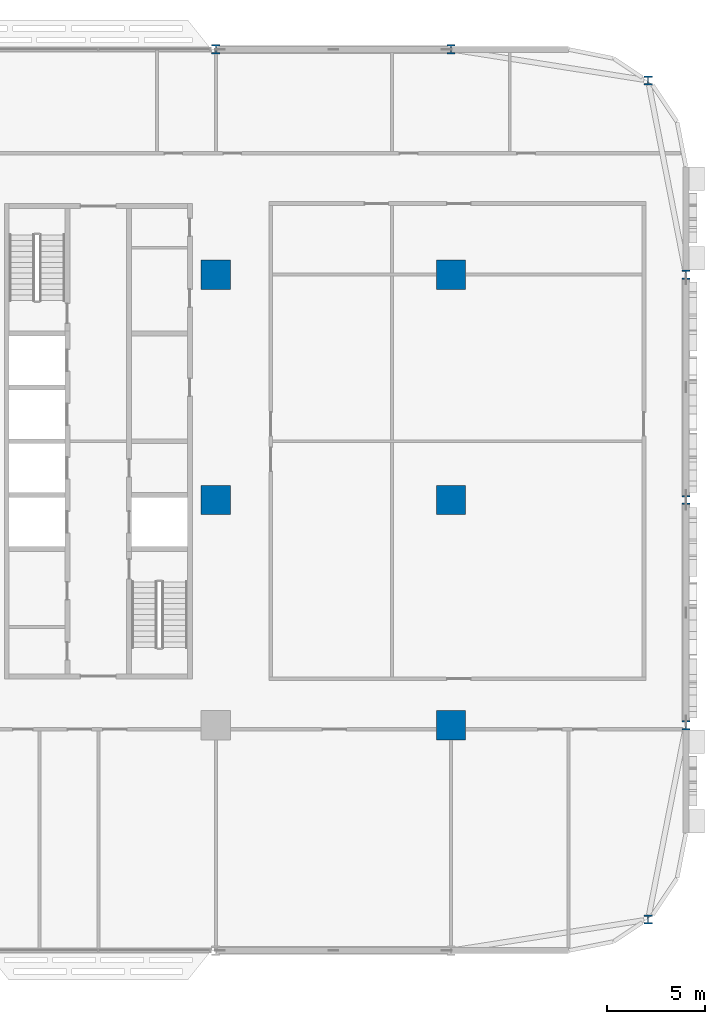
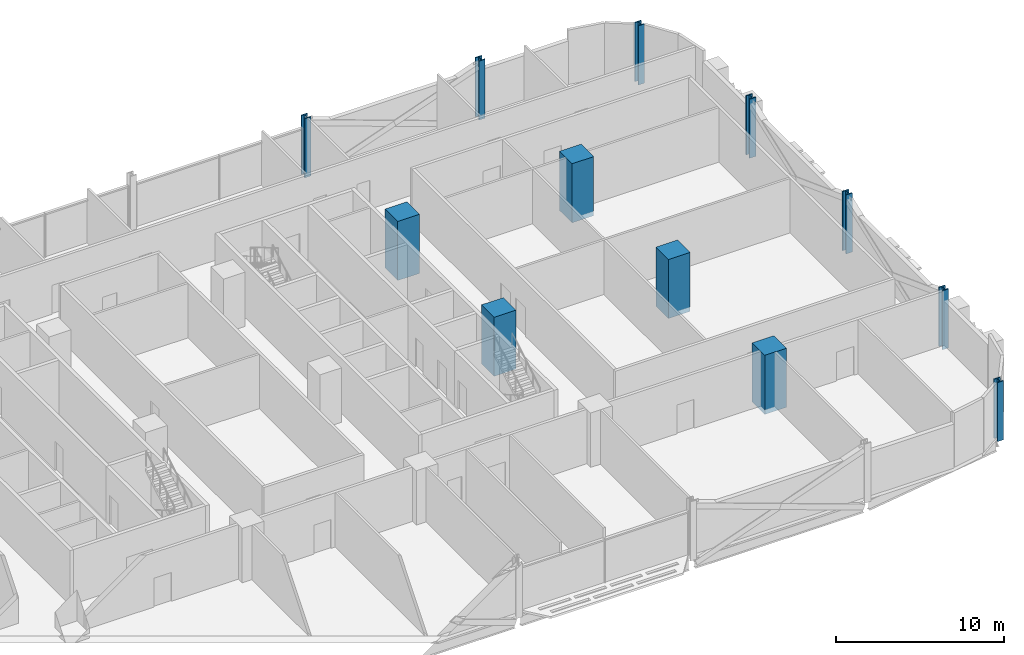
# One storey, part 2 of 30: 12 columns.
"""IFC4 building model written with IfcOpenShell, lengths in metres."""

from ifc_helpers import new_model, si_unit, direction, frame, origin, origin_2d, place, context, subcontext, project, spatial, rectangle, i_section, extrude, material, material_profile, profile_set, type_object, element, save


model = new_model("IFC4")

# Units and contexts
model_context = context("Model", 3, precision=1e-05, world=origin(), true_north=direction((0.0, 1.0)))
body_context = subcontext(model_context, "Body", "Model", "MODEL_VIEW")
ifc_project = project(units=[si_unit("LENGTHUNIT", "METRE"), si_unit("AREAUNIT", "SQUARE_METRE"), si_unit("VOLUMEUNIT", "CUBIC_METRE"), si_unit("PLANEANGLEUNIT", "RADIAN"), si_unit("MASSUNIT", "GRAM", prefix="KILO")], contexts=[model_context])

# Site, building, storey
site_placement = place(None, origin())
site = spatial("IfcSite", under=ifc_project, at=site_placement, CompositionType="ELEMENT")
building_placement = place(site_placement, origin())
building = spatial("IfcBuilding", under=site, at=building_placement, Name="Mahtab Terrace Research Tower", CompositionType="ELEMENT")
storey_placement = place(building_placement, frame((0.0, 0.0, 50.300048828125)))
storey = spatial("IfcBuildingStorey", under=building, at=storey_placement, Name="L11", CompositionType="ELEMENT", Elevation=50.300048828125)

# Columns
ifc_material_1 = material(Name="Concrete C70/85", Category="concrete")
ifc_material_profile_1 = material_profile(ifc_material_1, rectangle(XDim=1.5, YDim=1.5, at=origin_2d()), Name="RC column 1500x1500")
ifc_profile_set_1 = profile_set([ifc_material_profile_1], Name="Concrete C70/85")
column_type_1 = type_object("IfcColumnType", Name="RC column 1500x1500", PredefinedType="COLUMN", material=ifc_profile_set_1)
for number, where, z_axis, x_axis, name in (
    (1, (30.0, 0.0, -0.340087890625), (0.0, 0.0, 1.0), (1.0, 0.0, 0.0), "Column RC-7B L11"),
    (2, (30.0, 11.5, -0.340087890625), (0.0, 0.0, 1.0), (1.0, 0.0, 0.0), "Column RC-7C L11"),
    (3, (42.0, -11.5, -0.340087890625), (0.0, 0.0, 1.0), (1.0, 0.0, 0.0), "Column RC-8A L11"),
    (4, (42.0, 0.0, -0.340087890625), (0.0, 0.0, 1.0), (1.0, 0.0, 0.0), "Column RC-8B L11"),
    (5, (42.0, 11.5, -0.340087890625), (0.0, 0.0, 1.0), (1.0, 0.0, 0.0), "Column RC-8C L11"),
):
    element("IfcColumn", number, at=place(storey_placement, frame(where, z_axis=z_axis, x_axis=x_axis)), inside=storey, type_object=column_type_1, Name=name, PredefinedType="COLUMN", context=body_context, shape_type="SweptSolid", body=[
        extrude(rectangle(XDim=1.5, YDim=1.5, at=origin_2d()), origin(), (0.0, 0.0, 1.0), 4.300048828125),
    ])
ifc_material_2 = material(Name="Steel ASTM A992 Gr 50", Category="steel")
ifc_material_profile_2 = material_profile(ifc_material_2, i_section(OverallWidth=0.42431640625, OverallDepth=0.47509765625, WebThickness=0.0478515625, FlangeThickness=0.0771484375, at=origin_2d()), Name="W14X426")
ifc_profile_set_2 = profile_set([ifc_material_profile_2], Name="Steel ASTM A992 Gr 50")
column_type_2 = type_object("IfcColumnType", Name="W14x426 column CS14426", PredefinedType="COLUMN", material=ifc_profile_set_2)
for number, where, z_axis, x_axis, name in (
    (6, (52.06201171875, 21.416015625, -0.340087890625), (0.0, 0.0, 1.0), (1.0, 0.0, 0.0), "Column SC-023 L11"),
    (7, (42.0, 23.0, -0.340087890625), (0.0, 0.0, 1.0), (1.0, 0.0, 0.0), "Column SC-001 L11"),
    (8, (30.0, 23.0, -0.340087890625), (0.0, 0.0, 1.0), (1.0, 0.0, 0.0), "Column SC-002 L11"),
    (9, (52.06201171875, -21.416015625, -0.340087890625), (0.0, 0.0, 1.0), (1.0, 0.0, 0.0), "Column SC-026 L11"),
    (10, (54.0, -11.5, -0.340087890625), (0.0, 0.0, 1.0), (1.0, 0.0, 0.0), "Column SC-027 L11"),
    (11, (54.0, 0.0, -0.340087890625), (0.0, 0.0, 1.0), (1.0, 0.0, 0.0), "Column SC-028 L11"),
    (12, (54.0, 11.5, -0.340087890625), (0.0, 0.0, 1.0), (1.0, 0.0, 0.0), "Column SC-029 L11"),
):
    element("IfcColumn", number, at=place(storey_placement, frame(where, z_axis=z_axis, x_axis=x_axis)), inside=storey, type_object=column_type_2, Name=name, PredefinedType="COLUMN", context=body_context, shape_type="SweptSolid", body=[
        extrude(i_section(OverallWidth=0.42431640625, OverallDepth=0.47509765625, WebThickness=0.0478515625, FlangeThickness=0.0771484375, at=origin_2d()), origin(), (0.0, 0.0, 1.0), 4.300048828125),
    ])

save(model, "model.ifc")
